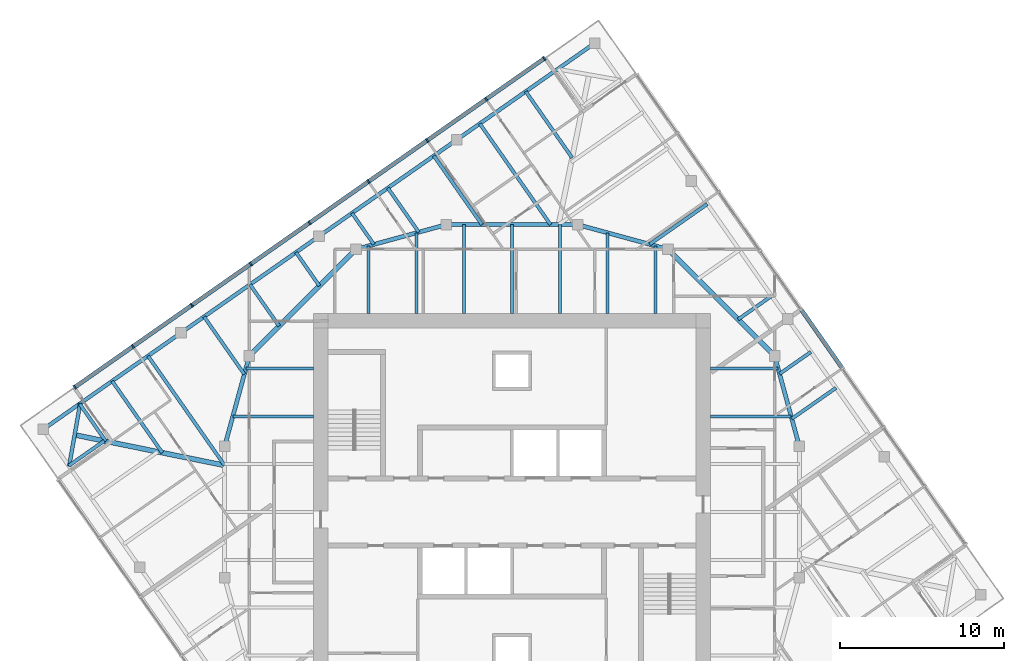
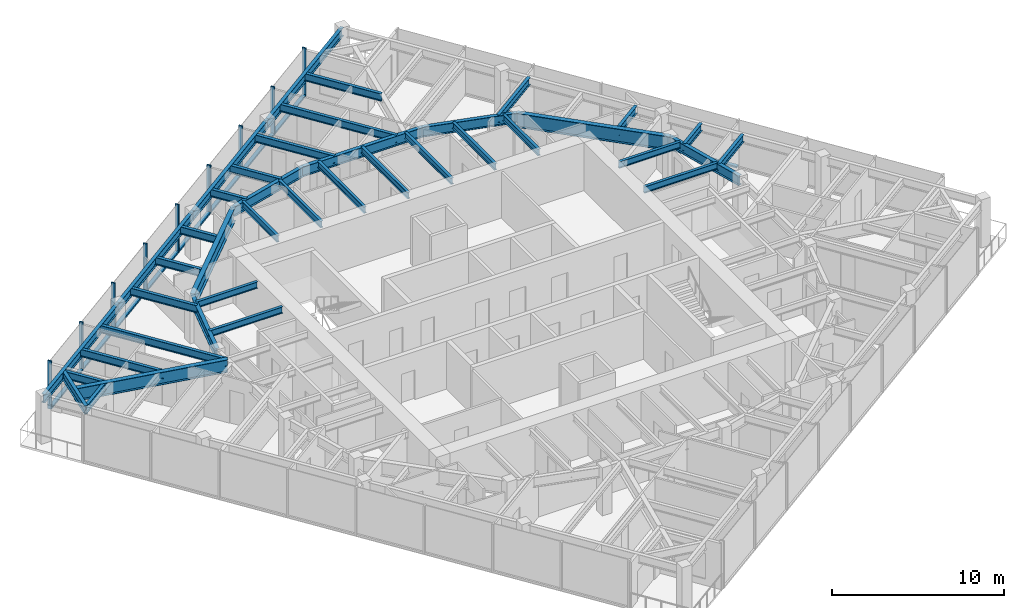
# One storey, part 4 of 12: 40 beams, 18 members, 2 elements without a shape of their own.
"""IFC4 building model written with IfcOpenShell, lengths in metres."""

from ifc_helpers import new_model, si_unit, direction, frame, origin, origin_2d, place, context, subcontext, project, spatial, rectangle, i_section, extrude, material, material_profile, profile_set, type_object, element, aggregate, save


model = new_model("IFC4")

# Units and contexts
model_context = context("Model", 3, precision=1e-05, world=origin(), true_north=direction((0.0, 1.0)))
body_context = subcontext(model_context, "Body", "Model", "MODEL_VIEW")
ifc_project = project(units=[si_unit("LENGTHUNIT", "METRE"), si_unit("AREAUNIT", "SQUARE_METRE"), si_unit("VOLUMEUNIT", "CUBIC_METRE"), si_unit("PLANEANGLEUNIT", "RADIAN"), si_unit("MASSUNIT", "GRAM", prefix="KILO")], contexts=[model_context])

# Site, building, storey
site_placement = place(None, origin())
site = spatial("IfcSite", under=ifc_project, at=site_placement, CompositionType="ELEMENT")
building_placement = place(site_placement, origin())
building = spatial("IfcBuilding", under=site, at=building_placement, Name="Torsade Residences", CompositionType="ELEMENT")
storey_placement = place(building_placement, frame((0.0, 0.0, 254.0)))
storey = spatial("IfcBuildingStorey", under=building, at=storey_placement, Name="L70", CompositionType="ELEMENT", Elevation=254.0)

# Beams
ifc_material_1 = material(Name="Steel grade 300", Category="steel")
ifc_material_profile_1 = material_profile(ifc_material_1, i_section(OverallWidth=0.300048828125, OverallDepth=0.89990234375, WebThickness=0.011962890625, FlangeThickness=0.02490234375, at=origin_2d()), Name="900WB175")
ifc_profile_set_1 = profile_set([ifc_material_profile_1], Name="Steel grade 300")
beam_type_1 = type_object("IfcBeamType", Name="CORNER GIRDER 900WB175", PredefinedType="BEAM", material=ifc_profile_set_1)
beam_1_placement = place(storey_placement, frame((13.364013671875, 34.696533203125, 2.800048828125), z_axis=(0.979880626756, -0.199584461589, 0.0), x_axis=(0.199584461589, 0.979880626756, 0.0)))
element("IfcBeam", 1, at=beam_1_placement, inside=storey, type_object=beam_type_1, Name="Corner girder 13 L71", PredefinedType="BEAM", context=body_context, shape_type="SweptSolid", body=[
    extrude(i_section(OverallWidth=0.300048828125, OverallDepth=0.89990234375, WebThickness=0.011962890625, FlangeThickness=0.02490234375, at=origin_2d()), origin(), (0.0, 0.0, 1.0), 9.323486328125),
])
ifc_material_2 = material(Name="Steel grade 300", Category="steel")
ifc_material_profile_2 = material_profile(ifc_material_2, i_section(OverallWidth=0.22802734375, OverallDepth=0.60205078125, WebThickness=0.010498046875, FlangeThickness=0.014892578125, FilletRadius=0.013916015625, at=origin_2d()), Name="610UB101")
ifc_profile_set_2 = profile_set([ifc_material_profile_2], Name="Steel grade 300")
beam_type_2 = type_object("IfcBeamType", Name="CORNER TRIMMER 610UB101", PredefinedType="BEAM", material=ifc_profile_set_2)
beam_2_placement = place(storey_placement, frame((13.0263671875, 32.78173828125, 2.948974609375), z_axis=(0.173645660267, 0.984808196894, 0.0), x_axis=(-0.984808196894, 0.173645660267, 0.0)))
element("IfcBeam", 2, at=beam_2_placement, inside=storey, type_object=beam_type_2, Name="Corner trimmer 13 L71", PredefinedType="BEAM", context=body_context, shape_type="SweptSolid", body=[
    extrude(i_section(OverallWidth=0.22802734375, OverallDepth=0.60205078125, WebThickness=0.010498046875, FlangeThickness=0.014892578125, FilletRadius=0.013916015625, at=origin_2d()), origin(), (0.0, 0.0, 1.0), 3.888916015625),
])
ifc_material_3 = material(Name="Steel grade 300", Category="steel")
ifc_material_profile_3 = material_profile(ifc_material_3, i_section(OverallWidth=0.22900390625, OverallDepth=0.612060546875, WebThickness=0.011962890625, FlangeThickness=0.01953125, FilletRadius=0.013916015625, at=origin_2d()), Name="610UB125")
ifc_profile_set_3 = profile_set([ifc_material_profile_3], Name="Steel grade 300")
beam_type_3 = type_object("IfcBeamType", Name="EDGE BEAM 610UB125", PredefinedType="SPANDREL", material=ifc_profile_set_3)
for number, where, z_axis, x_axis, name in (
    (3, (45.0341796875, 58.551025390625, 2.944091796875), (-0.819150225126, -0.573579034377, 0.0), (0.573579034377, -0.819150225126, 0.0), "Edge beam 09 L71"),
    (4, (36.637939453125, 52.671875, 2.944091796875), (-0.819150225126, -0.573579034377, 0.0), (0.573579034377, -0.819150225126, 0.0), "Edge beam 10 L71"),
    (5, (28.24169921875, 46.792724609375, 2.944091796875), (-0.819150225126, -0.573579034377, 0.0), (0.573579034377, -0.819150225126, 0.0), "Edge beam 11 L71"),
):
    element("IfcBeam", number, at=place(storey_placement, frame(where, z_axis=z_axis, x_axis=x_axis)), inside=storey, type_object=beam_type_3, Name=name, PredefinedType="SPANDREL", context=body_context, shape_type="SweptSolid", body=[
        extrude(i_section(OverallWidth=0.22900390625, OverallDepth=0.612060546875, WebThickness=0.011962890625, FlangeThickness=0.01953125, FilletRadius=0.013916015625, at=origin_2d()), origin(), (0.0, 0.0, 1.0), 10.25),
    ])
beam_3_placement = place(storey_placement, frame((19.845458984375, 40.91357421875, 2.944091796875), z_axis=(-0.819146870247, -0.573583825578, 0.0), x_axis=(0.573583825578, -0.819146870247, 0.0)))
element("IfcBeam", 6, at=beam_3_placement, inside=storey, type_object=beam_type_3, Name="Edge beam 12 L71", PredefinedType="SPANDREL", context=body_context, shape_type="SweptSolid", body=[
    extrude(i_section(OverallWidth=0.22900390625, OverallDepth=0.612060546875, WebThickness=0.011962890625, FlangeThickness=0.01953125, FilletRadius=0.013916015625, at=origin_2d()), origin(), (0.0, 0.0, 1.0), 10.250244140625),
])

# Curtain wall, members
ifc_material_4 = material(Name="Aluminium and glass", Category="aluminium")
curtain_wall_type = type_object("IfcCurtainWallType", Name="FRITTED GLASS CURTAIN WALL HIGH ZONE", PredefinedType="NOTDEFINED", material=ifc_material_4)
curtain_wall_1_placement = place(storey_placement, origin())
curtain_wall_1 = element("IfcCurtainWall", 7, at=curtain_wall_1_placement, inside=storey, type_object=curtain_wall_type, Name="Curtain wall L70 face 7", PredefinedType="NOTDEFINED")
ifc_material_5 = material(Name="Aluminium mullion", Category="aluminium")
ifc_material_profile_4 = material_profile(ifc_material_5, rectangle(XDim=0.25, YDim=0.10009765625, at=origin_2d()), Name="HIGH ZONE CURTAIN WALL MULLION 250x100")
ifc_profile_set_4 = profile_set([ifc_material_profile_4], Name="Aluminium mullion")
member_type_1 = type_object("IfcMemberType", Name="HIGH ZONE CURTAIN WALL MULLION 250x100", PredefinedType="MULLION", material=ifc_profile_set_4)
member_1_placement = place(storey_placement, frame((41.96240234375, 57.62060546875, 0.0), z_axis=(0.0, 0.0, 1.0), x_axis=(0.573576457682, -0.819152029353, 0.0)))
member_1 = element("IfcMember", 8, at=member_1_placement, type_object=member_type_1, Name="Mullion 1", PredefinedType="MULLION", context=body_context, shape_type="SweptSolid", body=[
    extrude(rectangle(XDim=0.25, YDim=0.10009765625, at=origin_2d()), origin(), (0.0, 0.0, 1.0), 3.39990234375),
])
member_2_placement = place(storey_placement, frame((38.41943359375, 55.139892578125, 0.0), z_axis=(0.0, 0.0, 1.0), x_axis=(0.573576457682, -0.819152029353, 0.0)))
member_2 = element("IfcMember", 9, at=member_2_placement, type_object=member_type_1, Name="Mullion 2", PredefinedType="MULLION", context=body_context, shape_type="SweptSolid", body=[
    extrude(rectangle(XDim=0.25, YDim=0.10009765625, at=origin_2d()), origin(), (0.0, 0.0, 1.0), 3.39990234375),
])
member_3_placement = place(storey_placement, frame((34.835693359375, 52.630615234375, 0.0), z_axis=(0.0, 0.0, 1.0), x_axis=(0.573576457682, -0.819152029353, 0.0)))
member_3 = element("IfcMember", 10, at=member_3_placement, type_object=member_type_1, Name="Mullion 3", PredefinedType="MULLION", context=body_context, shape_type="SweptSolid", body=[
    extrude(rectangle(XDim=0.25, YDim=0.10009765625, at=origin_2d()), origin(), (0.0, 0.0, 1.0), 3.39990234375),
])
member_4_placement = place(storey_placement, frame((31.251953125, 50.12109375, 0.0), z_axis=(0.0, 0.0, 1.0), x_axis=(0.573576457682, -0.819152029353, 0.0)))
member_4 = element("IfcMember", 11, at=member_4_placement, type_object=member_type_1, Name="Mullion 4", PredefinedType="MULLION", context=body_context, shape_type="SweptSolid", body=[
    extrude(rectangle(XDim=0.25, YDim=0.10009765625, at=origin_2d()), origin(), (0.0, 0.0, 1.0), 3.39990234375),
])
member_5_placement = place(storey_placement, frame((27.668212890625, 47.61181640625, 0.0), z_axis=(0.0, 0.0, 1.0), x_axis=(0.573576457682, -0.819152029353, 0.0)))
member_5 = element("IfcMember", 12, at=member_5_placement, type_object=member_type_1, Name="Mullion 5", PredefinedType="MULLION", context=body_context, shape_type="SweptSolid", body=[
    extrude(rectangle(XDim=0.25, YDim=0.10009765625, at=origin_2d()), origin(), (0.0, 0.0, 1.0), 3.39990234375),
])
member_6_placement = place(storey_placement, frame((24.084228515625, 45.102294921875, 0.0), z_axis=(0.0, 0.0, 1.0), x_axis=(0.573576457682, -0.819152029353, 0.0)))
member_6 = element("IfcMember", 13, at=member_6_placement, type_object=member_type_1, Name="Mullion 6", PredefinedType="MULLION", context=body_context, shape_type="SweptSolid", body=[
    extrude(rectangle(XDim=0.25, YDim=0.10009765625, at=origin_2d()), origin(), (0.0, 0.0, 1.0), 3.39990234375),
])
member_7_placement = place(storey_placement, frame((20.50048828125, 42.593017578125, 0.0), z_axis=(0.0, 0.0, 1.0), x_axis=(0.573576457682, -0.819152029353, 0.0)))
member_7 = element("IfcMember", 14, at=member_7_placement, type_object=member_type_1, Name="Mullion 7", PredefinedType="MULLION", context=body_context, shape_type="SweptSolid", body=[
    extrude(rectangle(XDim=0.25, YDim=0.10009765625, at=origin_2d()), origin(), (0.0, 0.0, 1.0), 3.39990234375),
])
member_8_placement = place(storey_placement, frame((16.916748046875, 40.08349609375, 0.0), z_axis=(0.0, 0.0, 1.0), x_axis=(0.573576457682, -0.819152029353, 0.0)))
member_8 = element("IfcMember", 15, at=member_8_placement, type_object=member_type_1, Name="Mullion 8", PredefinedType="MULLION", context=body_context, shape_type="SweptSolid", body=[
    extrude(rectangle(XDim=0.25, YDim=0.10009765625, at=origin_2d()), origin(), (0.0, 0.0, 1.0), 3.39990234375),
])
member_9_placement = place(storey_placement, frame((13.3740234375, 37.602783203125, 0.0), z_axis=(0.0, 0.0, 1.0), x_axis=(0.573576457682, -0.819152029353, 0.0)))
member_9 = element("IfcMember", 16, at=member_9_placement, type_object=member_type_1, Name="Mullion 9", PredefinedType="MULLION", context=body_context, shape_type="SweptSolid", body=[
    extrude(rectangle(XDim=0.25, YDim=0.10009765625, at=origin_2d()), origin(), (0.0, 0.0, 1.0), 3.39990234375),
])

# Curtain wall, member
curtain_wall_2_placement = place(storey_placement, origin())
curtain_wall_2 = element("IfcCurtainWall", 17, at=curtain_wall_2_placement, inside=storey, type_object=curtain_wall_type, Name="Curtain wall L70 face 4", PredefinedType="NOTDEFINED")
ifc_material_6 = material(Name="Aluminium transom", Category="aluminium")
ifc_material_profile_5 = material_profile(ifc_material_6, rectangle(XDim=0.25, YDim=0.1201171875, at=origin_2d()), Name="HIGH ZONE CURTAIN WALL TRANSOM 250x120")
ifc_profile_set_5 = profile_set([ifc_material_profile_5], Name="Aluminium transom")
member_type_2 = type_object("IfcMemberType", Name="HIGH ZONE CURTAIN WALL TRANSOM 250x120", PredefinedType="USERDEFINED", material=ifc_profile_set_5)
member_10_placement = place(storey_placement, frame((60.092529296875, 38.7890625, 0.06005859375), z_axis=(-0.57358498433, 0.819146058863, 0.0), x_axis=(-0.819146058863, -0.57358498433, 0.0)))
member_10 = element("IfcMember", 18, at=member_10_placement, type_object=member_type_2, Name="Transom 4.1", ObjectType="TRANSOM", PredefinedType="USERDEFINED", context=body_context, shape_type="SweptSolid", body=[
    extrude(rectangle(XDim=0.25, YDim=0.1201171875, at=origin_2d()), origin(), (0.0, 0.0, 1.0), 4.275146484375),
])
aggregate(curtain_wall_2, [member_10])

# Member
member_11_placement = place(storey_placement, frame((41.92138671875, 57.592041015625, 0.06005859375), z_axis=(-0.819155901234, -0.573570928023, 0.0), x_axis=(0.573570928023, -0.819155901234, 0.0)))
member_11 = element("IfcMember", 19, at=member_11_placement, type_object=member_type_2, Name="Transom 1.1", ObjectType="TRANSOM", PredefinedType="USERDEFINED", context=body_context, shape_type="SweptSolid", body=[
    extrude(rectangle(XDim=0.25, YDim=0.1201171875, at=origin_2d()), origin(), (0.0, 0.0, 1.0), 4.22509765625),
])

member_12_placement = place(storey_placement, frame((38.37841796875, 55.111328125, 0.06005859375), z_axis=(-0.819127269283, -0.573611817101, 0.0), x_axis=(0.573611817101, -0.819127269283, 0.0)))
member_12 = element("IfcMember", 20, at=member_12_placement, type_object=member_type_2, Name="Transom 2.1", ObjectType="TRANSOM", PredefinedType="USERDEFINED", context=body_context, shape_type="SweptSolid", body=[
    extrude(rectangle(XDim=0.25, YDim=0.1201171875, at=origin_2d()), origin(), (0.0, 0.0, 1.0), 4.27490234375),
])

member_13_placement = place(storey_placement, frame((34.794677734375, 52.601806640625, 0.06005859375), z_axis=(-0.819154102984, -0.573573496219, 0.0), x_axis=(0.573573496219, -0.819154102984, 0.0)))
member_13 = element("IfcMember", 21, at=member_13_placement, type_object=member_type_2, Name="Transom 3.1", ObjectType="TRANSOM", PredefinedType="USERDEFINED", context=body_context, shape_type="SweptSolid", body=[
    extrude(rectangle(XDim=0.25, YDim=0.1201171875, at=origin_2d()), origin(), (0.0, 0.0, 1.0), 4.27490234375),
])

member_14_placement = place(storey_placement, frame((31.2109375, 50.092529296875, 0.06005859375), z_axis=(-0.819146058863, -0.57358498433, 0.0), x_axis=(0.57358498433, -0.819146058863, 0.0)))
member_14 = element("IfcMember", 22, at=member_14_placement, type_object=member_type_2, Name="Transom 4.1", ObjectType="TRANSOM", PredefinedType="USERDEFINED", context=body_context, shape_type="SweptSolid", body=[
    extrude(rectangle(XDim=0.25, YDim=0.1201171875, at=origin_2d()), origin(), (0.0, 0.0, 1.0), 4.275146484375),
])

member_15_placement = place(storey_placement, frame((27.627197265625, 47.5830078125, 0.06005859375), z_axis=(-0.81917289067, -0.573546663483, 0.0), x_axis=(0.573546663483, -0.81917289067, 0.0)))
member_15 = element("IfcMember", 23, at=member_15_placement, type_object=member_type_2, Name="Transom 5.1", ObjectType="TRANSOM", PredefinedType="USERDEFINED", context=body_context, shape_type="SweptSolid", body=[
    extrude(rectangle(XDim=0.25, YDim=0.1201171875, at=origin_2d()), origin(), (0.0, 0.0, 1.0), 4.27490234375),
])

member_16_placement = place(storey_placement, frame((24.04345703125, 45.07373046875, 0.06005859375), z_axis=(-0.819146058863, -0.57358498433, 0.0), x_axis=(0.57358498433, -0.819146058863, 0.0)))
member_16 = element("IfcMember", 24, at=member_16_placement, type_object=member_type_2, Name="Transom 6.1", ObjectType="TRANSOM", PredefinedType="USERDEFINED", context=body_context, shape_type="SweptSolid", body=[
    extrude(rectangle(XDim=0.25, YDim=0.1201171875, at=origin_2d()), origin(), (0.0, 0.0, 1.0), 4.275146484375),
])

member_17_placement = place(storey_placement, frame((20.45947265625, 42.564208984375, 0.06005859375), z_axis=(-0.819154102984, -0.573573496219, 0.0), x_axis=(0.573573496219, -0.819154102984, 0.0)))
member_17 = element("IfcMember", 25, at=member_17_placement, type_object=member_type_2, Name="Transom 7.1", ObjectType="TRANSOM", PredefinedType="USERDEFINED", context=body_context, shape_type="SweptSolid", body=[
    extrude(rectangle(XDim=0.25, YDim=0.1201171875, at=origin_2d()), origin(), (0.0, 0.0, 1.0), 4.27490234375),
])

member_18_placement = place(storey_placement, frame((16.875732421875, 40.054931640625, 0.06005859375), z_axis=(-0.819155901234, -0.573570928023, 0.0), x_axis=(0.573570928023, -0.819155901234, 0.0)))
member_18 = element("IfcMember", 26, at=member_18_placement, type_object=member_type_2, Name="Transom 8.1", ObjectType="TRANSOM", PredefinedType="USERDEFINED", context=body_context, shape_type="SweptSolid", body=[
    extrude(rectangle(XDim=0.25, YDim=0.1201171875, at=origin_2d()), origin(), (0.0, 0.0, 1.0), 4.22509765625),
])

aggregate(curtain_wall_1, [member_1, member_2, member_3, member_4, member_5, member_6, member_7, member_8, member_9, member_11, member_12, member_13, member_14, member_15, member_16, member_17, member_18])

# Beams
ifc_material_7 = material(Name="Steel grade 300", Category="steel")
ifc_material_profile_6 = material_profile(ifc_material_7, i_section(OverallWidth=0.18994140625, OverallDepth=0.4541015625, WebThickness=0.008544921875, FlangeThickness=0.0126953125, FilletRadius=0.011474609375, at=origin_2d()), Name="460UB67.1")
ifc_profile_set_6 = profile_set([ifc_material_profile_6], Name="Steel grade 300")
beam_type_4 = type_object("IfcBeamType", Name="INNER FLOOR BEAM 460UB67.1", PredefinedType="JOIST", material=ifc_profile_set_6)
beam_4_placement = place(storey_placement, frame((31.262451171875, 42.10009765625, 3.02294921875), z_axis=(0.0, 1.0, 0.0), x_axis=(-1.0, 0.0, 0.0)))
element("IfcBeam", 27, at=beam_4_placement, inside=storey, type_object=beam_type_4, Name="Inner floor beam IN01 L71", PredefinedType="JOIST", context=body_context, shape_type="SweptSolid", body=[
    extrude(i_section(OverallWidth=0.18994140625, OverallDepth=0.4541015625, WebThickness=0.008544921875, FlangeThickness=0.0126953125, FilletRadius=0.011474609375, at=origin_2d()), origin(), (0.0, 0.0, 1.0), 4.10791015625),
])
beam_5_placement = place(storey_placement, frame((34.175048828125, 42.10009765625, 3.02294921875), z_axis=(0.0, 1.0, 0.0), x_axis=(-1.0, 0.0, 0.0)))
element("IfcBeam", 28, at=beam_5_placement, inside=storey, type_object=beam_type_4, Name="Inner floor beam IN02 L71", PredefinedType="JOIST", context=body_context, shape_type="SweptSolid", body=[
    extrude(i_section(OverallWidth=0.18994140625, OverallDepth=0.4541015625, WebThickness=0.008544921875, FlangeThickness=0.0126953125, FilletRadius=0.011474609375, at=origin_2d()), origin(), (0.0, 0.0, 1.0), 4.902099609375),
])
for number, where, z_axis, x_axis, name in (
    (29, (37.08740234375, 42.10009765625, 3.02294921875), (0.0, 1.0, 0.0), (-1.0, 0.0, 0.0), "Inner floor beam IN03 L71"),
    (30, (40.0, 42.10009765625, 3.02294921875), (0.0, 1.0, 0.0), (-1.0, 0.0, 0.0), "Inner floor beam IN04 L71"),
    (31, (42.91259765625, 42.10009765625, 3.02294921875), (0.0, 1.0, 0.0), (-1.0, 0.0, 0.0), "Inner floor beam IN05 L71"),
):
    element("IfcBeam", number, at=place(storey_placement, frame(where, z_axis=z_axis, x_axis=x_axis)), inside=storey, type_object=beam_type_4, Name=name, PredefinedType="JOIST", context=body_context, shape_type="SweptSolid", body=[
        extrude(i_section(OverallWidth=0.18994140625, OverallDepth=0.4541015625, WebThickness=0.008544921875, FlangeThickness=0.0126953125, FilletRadius=0.011474609375, at=origin_2d()), origin(), (0.0, 0.0, 1.0), 5.39990234375),
    ])
beam_6_placement = place(storey_placement, frame((45.824951171875, 42.10009765625, 3.02294921875), z_axis=(0.0, 1.0, 0.0), x_axis=(-1.0, 0.0, 0.0)))
element("IfcBeam", 32, at=beam_6_placement, inside=storey, type_object=beam_type_4, Name="Inner floor beam IN06 L71", PredefinedType="JOIST", context=body_context, shape_type="SweptSolid", body=[
    extrude(i_section(OverallWidth=0.18994140625, OverallDepth=0.4541015625, WebThickness=0.008544921875, FlangeThickness=0.0126953125, FilletRadius=0.011474609375, at=origin_2d()), origin(), (0.0, 0.0, 1.0), 4.902099609375),
])
beam_7_placement = place(storey_placement, frame((48.737548828125, 42.10009765625, 3.02294921875), z_axis=(0.0, 1.0, 0.0), x_axis=(-1.0, 0.0, 0.0)))
element("IfcBeam", 33, at=beam_7_placement, inside=storey, type_object=beam_type_4, Name="Inner floor beam IN07 L71", PredefinedType="JOIST", context=body_context, shape_type="SweptSolid", body=[
    extrude(i_section(OverallWidth=0.18994140625, OverallDepth=0.4541015625, WebThickness=0.008544921875, FlangeThickness=0.0126953125, FilletRadius=0.011474609375, at=origin_2d()), origin(), (0.0, 0.0, 1.0), 4.10791015625),
])
beam_8_placement = place(storey_placement, frame((52.10009765625, 35.824951171875, 3.02294921875), z_axis=(1.0, 0.0, 0.0), x_axis=(0.0, 1.0, 0.0)))
element("IfcBeam", 34, at=beam_8_placement, inside=storey, type_object=beam_type_4, Name="Inner floor beam IE06 L71", PredefinedType="JOIST", context=body_context, shape_type="SweptSolid", body=[
    extrude(i_section(OverallWidth=0.18994140625, OverallDepth=0.4541015625, WebThickness=0.008544921875, FlangeThickness=0.0126953125, FilletRadius=0.011474609375, at=origin_2d()), origin(), (0.0, 0.0, 1.0), 4.902099609375),
])
for number, where, z_axis, x_axis, name in (
    (35, (52.10009765625, 38.737548828125, 3.02294921875), (1.0, 0.0, 0.0), (0.0, 1.0, 0.0), "Inner floor beam IE07 L71"),
    (36, (27.89990234375, 38.737548828125, 3.02294921875), (-1.0, 0.0, 0.0), (0.0, -1.0, 0.0), "Inner floor beam IW01 L71"),
):
    element("IfcBeam", number, at=place(storey_placement, frame(where, z_axis=z_axis, x_axis=x_axis)), inside=storey, type_object=beam_type_4, Name=name, PredefinedType="JOIST", context=body_context, shape_type="SweptSolid", body=[
        extrude(i_section(OverallWidth=0.18994140625, OverallDepth=0.4541015625, WebThickness=0.008544921875, FlangeThickness=0.0126953125, FilletRadius=0.011474609375, at=origin_2d()), origin(), (0.0, 0.0, 1.0), 4.10791015625),
    ])
beam_9_placement = place(storey_placement, frame((27.89990234375, 35.824951171875, 3.02294921875), z_axis=(-1.0, 0.0, 0.0), x_axis=(0.0, -1.0, 0.0)))
element("IfcBeam", 37, at=beam_9_placement, inside=storey, type_object=beam_type_4, Name="Inner floor beam IW02 L71", PredefinedType="JOIST", context=body_context, shape_type="SweptSolid", body=[
    extrude(i_section(OverallWidth=0.18994140625, OverallDepth=0.4541015625, WebThickness=0.008544921875, FlangeThickness=0.0126953125, FilletRadius=0.011474609375, at=origin_2d()), origin(), (0.0, 0.0, 1.0), 4.902099609375),
])
ifc_material_8 = material(Name="Steel grade 300", Category="steel")
ifc_material_profile_7 = material_profile(ifc_material_8, i_section(OverallWidth=0.300048828125, OverallDepth=1.0, WebThickness=0.01611328125, FlangeThickness=0.028076171875, at=origin_2d()), Name="1000WB215")
ifc_profile_set_7 = profile_set([ifc_material_profile_7], Name="Steel grade 300")
beam_type_5 = type_object("IfcBeamType", Name="RING CORNER GIRDER 1000WB215", PredefinedType="BEAM", material=ifc_profile_set_7)
for number, where, z_axis, x_axis, name in (
    (38, (56.0, 39.5, 2.75), (-0.707106781187, 0.707106781187, 0.0), (-0.707106781187, -0.707106781187, 0.0), "Ring girder IR03 L71"),
    (39, (30.5, 46.0, 2.75), (-0.707106781187, -0.707106781187, 0.0), (0.707106781187, -0.707106781187, 0.0), "Ring girder IR07 L71"),
):
    element("IfcBeam", number, at=place(storey_placement, frame(where, z_axis=z_axis, x_axis=x_axis)), inside=storey, type_object=beam_type_5, Name=name, PredefinedType="BEAM", context=body_context, shape_type="SweptSolid", body=[
        extrude(i_section(OverallWidth=0.300048828125, OverallDepth=1.0, WebThickness=0.01611328125, FlangeThickness=0.028076171875, at=origin_2d()), origin(), (0.0, 0.0, 1.0), 9.1923828125),
    ])
ifc_material_9 = material(Name="Steel grade 300", Category="steel")
ifc_material_profile_8 = material_profile(ifc_material_9, i_section(OverallWidth=0.25, OverallDepth=0.699951171875, WebThickness=0.010009765625, FlangeThickness=0.02001953125, at=origin_2d()), Name="700WB130")
ifc_profile_set_8 = profile_set([ifc_material_profile_8], Name="Steel grade 300")
beam_type_6 = type_object("IfcBeamType", Name="RING GIRDER 700WB130", PredefinedType="BEAM", material=ifc_profile_set_8)
for number, where, z_axis, x_axis, name in (
    (40, (57.5, 34.0, 2.89990234375), (-0.263117405792, 0.964763821238, 0.0), (-0.964763821238, -0.263117405792, 0.0), "Ring girder IR02 L71"),
    (41, (49.5, 46.0, 2.89990234375), (-0.964763821238, 0.263117405792, 0.0), (-0.263117405792, -0.964763821238, 0.0), "Ring girder IR04 L71"),
):
    element("IfcBeam", number, at=place(storey_placement, frame(where, z_axis=z_axis, x_axis=x_axis)), inside=storey, type_object=beam_type_6, Name=name, PredefinedType="BEAM", context=body_context, shape_type="SweptSolid", body=[
        extrude(i_section(OverallWidth=0.25, OverallDepth=0.699951171875, WebThickness=0.010009765625, FlangeThickness=0.02001953125, at=origin_2d()), origin(), (0.0, 0.0, 1.0), 5.700927734375),
    ])
beam_10_placement = place(storey_placement, frame((44.0, 47.5, 2.89990234375), z_axis=(-1.0, 0.0, 0.0), x_axis=(0.0, -1.0, 0.0)))
element("IfcBeam", 42, at=beam_10_placement, inside=storey, type_object=beam_type_6, Name="Ring girder IR05 L71", PredefinedType="BEAM", context=body_context, shape_type="SweptSolid", body=[
    extrude(i_section(OverallWidth=0.25, OverallDepth=0.699951171875, WebThickness=0.010009765625, FlangeThickness=0.02001953125, at=origin_2d()), origin(), (0.0, 0.0, 1.0), 8.0),
])
for number, where, z_axis, x_axis, name in (
    (43, (36.0, 47.5, 2.89990234375), (-0.964763821238, -0.263117405792, 0.0), (0.263117405792, -0.964763821238, 0.0), "Ring girder IR06 L71"),
    (44, (24.0, 39.5, 2.89990234375), (-0.263117405792, -0.964763821238, 0.0), (0.964763821238, -0.263117405792, 0.0), "Ring girder IR08 L71"),
):
    element("IfcBeam", number, at=place(storey_placement, frame(where, z_axis=z_axis, x_axis=x_axis)), inside=storey, type_object=beam_type_6, Name=name, PredefinedType="BEAM", context=body_context, shape_type="SweptSolid", body=[
        extrude(i_section(OverallWidth=0.25, OverallDepth=0.699951171875, WebThickness=0.010009765625, FlangeThickness=0.02001953125, at=origin_2d()), origin(), (0.0, 0.0, 1.0), 5.700927734375),
    ])
ifc_material_10 = material(Name="Steel grade 300", Category="steel")
ifc_material_profile_9 = material_profile(ifc_material_10, i_section(OverallWidth=0.208984375, OverallDepth=0.532958984375, WebThickness=0.01025390625, FlangeThickness=0.015625, FilletRadius=0.013916015625, at=origin_2d()), Name="530UB92.4")
ifc_profile_set_9 = profile_set([ifc_material_profile_9], Name="Steel grade 300")
beam_type_7 = type_object("IfcBeamType", Name="SECONDARY BEAM 530UB92.4", PredefinedType="JOIST", material=ifc_profile_set_9)
beam_11_placement = place(storey_placement, frame((59.732177734375, 37.56005859375, 2.9833984375), z_axis=(-0.819169032504, -0.573552173902, 0.0), x_axis=(0.573552173902, -0.819169032504, 0.0)))
element("IfcBeam", 45, at=beam_11_placement, inside=storey, type_object=beam_type_7, Name="Floor beam FE05 L71", PredefinedType="JOIST", context=body_context, shape_type="SweptSolid", body=[
    extrude(i_section(OverallWidth=0.208984375, OverallDepth=0.532958984375, WebThickness=0.01025390625, FlangeThickness=0.015625, FilletRadius=0.013916015625, at=origin_2d()), origin(), (0.0, 0.0, 1.0), 3.283203125),
])
beam_12_placement = place(storey_placement, frame((58.20263671875, 39.74462890625, 2.9833984375), z_axis=(-0.819157953557, -0.573567996949, 0.0), x_axis=(0.573567996949, -0.819157953557, 0.0)))
element("IfcBeam", 46, at=beam_12_placement, inside=storey, type_object=beam_type_7, Name="Floor beam FE06 L71", PredefinedType="JOIST", context=body_context, shape_type="SweptSolid", body=[
    extrude(i_section(OverallWidth=0.208984375, OverallDepth=0.532958984375, WebThickness=0.01025390625, FlangeThickness=0.015625, FilletRadius=0.013916015625, at=origin_2d()), origin(), (0.0, 0.0, 1.0), 2.326171875),
])
beam_13_placement = place(storey_placement, frame((55.812744140625, 43.15771484375, 2.9833984375), z_axis=(-0.819172078752, -0.573547823109, 0.0), x_axis=(0.573547823109, -0.819172078752, 0.0)))
element("IfcBeam", 47, at=beam_13_placement, inside=storey, type_object=beam_type_7, Name="Floor beam FE07 L71", PredefinedType="JOIST", context=body_context, shape_type="SweptSolid", body=[
    extrude(i_section(OverallWidth=0.208984375, OverallDepth=0.532958984375, WebThickness=0.01025390625, FlangeThickness=0.015625, FilletRadius=0.013916015625, at=origin_2d()), origin(), (0.0, 0.0, 1.0), 2.491943359375),
])
beam_14_placement = place(storey_placement, frame((51.893310546875, 48.755126953125, 2.9833984375), z_axis=(-0.819148759439, -0.573581127575, 0.0), x_axis=(0.573581127575, -0.819148759439, 0.0)))
element("IfcBeam", 48, at=beam_14_placement, inside=storey, type_object=beam_type_7, Name="Floor beam FE09 L71", PredefinedType="JOIST", context=body_context, shape_type="SweptSolid", body=[
    extrude(i_section(OverallWidth=0.208984375, OverallDepth=0.532958984375, WebThickness=0.01025390625, FlangeThickness=0.015625, FilletRadius=0.013916015625, at=origin_2d()), origin(), (0.0, 0.0, 1.0), 4.276123046875),
])
beam_15_placement = place(storey_placement, frame((40.836181640625, 55.611328125, 2.9833984375), z_axis=(0.573575295634, -0.819152843027, 0.0), x_axis=(0.819152843027, 0.573575295634, 0.0)))
element("IfcBeam", 49, at=beam_15_placement, inside=storey, type_object=beam_type_7, Name="Floor beam FN02 L71", PredefinedType="JOIST", context=body_context, shape_type="SweptSolid", body=[
    extrude(i_section(OverallWidth=0.208984375, OverallDepth=0.532958984375, WebThickness=0.01025390625, FlangeThickness=0.015625, FilletRadius=0.013916015625, at=origin_2d()), origin(), (0.0, 0.0, 1.0), 4.931884765625),
])
beam_16_placement = place(storey_placement, frame((38.037353515625, 53.651611328125, 2.9833984375), z_axis=(0.573573614851, -0.819154019917, 0.0), x_axis=(0.819154019917, 0.573573614851, 0.0)))
element("IfcBeam", 50, at=beam_16_placement, inside=storey, type_object=beam_type_7, Name="Floor beam FN03 L71", PredefinedType="JOIST", context=body_context, shape_type="SweptSolid", body=[
    extrude(i_section(OverallWidth=0.208984375, OverallDepth=0.532958984375, WebThickness=0.01025390625, FlangeThickness=0.015625, FilletRadius=0.013916015625, at=origin_2d()), origin(), (0.0, 0.0, 1.0), 7.509765625),
])
beam_17_placement = place(storey_placement, frame((35.238525390625, 51.69189453125, 2.9833984375), z_axis=(0.573590411882, -0.819142258339, 0.0), x_axis=(0.819142258339, 0.573590411882, 0.0)))
element("IfcBeam", 51, at=beam_17_placement, inside=storey, type_object=beam_type_7, Name="Floor beam FN04 L71", PredefinedType="JOIST", context=body_context, shape_type="SweptSolid", body=[
    extrude(i_section(OverallWidth=0.208984375, OverallDepth=0.532958984375, WebThickness=0.01025390625, FlangeThickness=0.015625, FilletRadius=0.013916015625, at=origin_2d()), origin(), (0.0, 0.0, 1.0), 5.117431640625),
])
beam_18_placement = place(storey_placement, frame((32.43994140625, 49.732177734375, 2.9833984375), z_axis=(0.573552173902, -0.819169032504, 0.0), x_axis=(0.819169032504, 0.573552173902, 0.0)))
element("IfcBeam", 52, at=beam_18_placement, inside=storey, type_object=beam_type_7, Name="Floor beam FN05 L71", PredefinedType="JOIST", context=body_context, shape_type="SweptSolid", body=[
    extrude(i_section(OverallWidth=0.208984375, OverallDepth=0.532958984375, WebThickness=0.01025390625, FlangeThickness=0.015625, FilletRadius=0.013916015625, at=origin_2d()), origin(), (0.0, 0.0, 1.0), 3.283203125),
])
beam_19_placement = place(storey_placement, frame((30.25537109375, 48.20263671875, 2.9833984375), z_axis=(0.573567996949, -0.819157953557, 0.0), x_axis=(0.819157953557, 0.573567996949, 0.0)))
element("IfcBeam", 53, at=beam_19_placement, inside=storey, type_object=beam_type_7, Name="Floor beam FN06 L71", PredefinedType="JOIST", context=body_context, shape_type="SweptSolid", body=[
    extrude(i_section(OverallWidth=0.208984375, OverallDepth=0.532958984375, WebThickness=0.01025390625, FlangeThickness=0.015625, FilletRadius=0.013916015625, at=origin_2d()), origin(), (0.0, 0.0, 1.0), 2.326171875),
])
beam_20_placement = place(storey_placement, frame((26.84228515625, 45.812744140625, 2.9833984375), z_axis=(0.573547823109, -0.819172078752, 0.0), x_axis=(0.819172078752, 0.573547823109, 0.0)))
element("IfcBeam", 54, at=beam_20_placement, inside=storey, type_object=beam_type_7, Name="Floor beam FN07 L71", PredefinedType="JOIST", context=body_context, shape_type="SweptSolid", body=[
    extrude(i_section(OverallWidth=0.208984375, OverallDepth=0.532958984375, WebThickness=0.01025390625, FlangeThickness=0.015625, FilletRadius=0.013916015625, at=origin_2d()), origin(), (0.0, 0.0, 1.0), 2.491943359375),
])
beam_21_placement = place(storey_placement, frame((24.04345703125, 43.85302734375, 2.9833984375), z_axis=(0.573600013401, -0.819135534955, 0.0), x_axis=(0.819135534955, 0.573600013401, 0.0)))
element("IfcBeam", 55, at=beam_21_placement, inside=storey, type_object=beam_type_7, Name="Floor beam FN08 L71", PredefinedType="JOIST", context=body_context, shape_type="SweptSolid", body=[
    extrude(i_section(OverallWidth=0.208984375, OverallDepth=0.532958984375, WebThickness=0.01025390625, FlangeThickness=0.015625, FilletRadius=0.013916015625, at=origin_2d()), origin(), (0.0, 0.0, 1.0), 3.09423828125),
])
beam_22_placement = place(storey_placement, frame((21.244873046875, 41.893310546875, 2.9833984375), z_axis=(0.573581127575, -0.819148759439, 0.0), x_axis=(0.819148759439, 0.573581127575, 0.0)))
element("IfcBeam", 56, at=beam_22_placement, inside=storey, type_object=beam_type_7, Name="Floor beam FN09 L71", PredefinedType="JOIST", context=body_context, shape_type="SweptSolid", body=[
    extrude(i_section(OverallWidth=0.208984375, OverallDepth=0.532958984375, WebThickness=0.01025390625, FlangeThickness=0.015625, FilletRadius=0.013916015625, at=origin_2d()), origin(), (0.0, 0.0, 1.0), 4.276123046875),
])
beam_23_placement = place(storey_placement, frame((17.83154296875, 39.50341796875, 2.9833984375), z_axis=(0.573577087251, -0.819151588523, 0.0), x_axis=(0.819151588523, 0.573577087251, 0.0)))
element("IfcBeam", 57, at=beam_23_placement, inside=storey, type_object=beam_type_7, Name="Floor beam FN10 L71", PredefinedType="JOIST", context=body_context, shape_type="SweptSolid", body=[
    extrude(i_section(OverallWidth=0.208984375, OverallDepth=0.532958984375, WebThickness=0.01025390625, FlangeThickness=0.015625, FilletRadius=0.013916015625, at=origin_2d()), origin(), (0.0, 0.0, 1.0), 8.13916015625),
])
beam_24_placement = place(storey_placement, frame((15.647216796875, 37.973876953125, 2.9833984375), z_axis=(0.573597638513, -0.819137197966, 0.0), x_axis=(0.819137197966, 0.573597638513, 0.0)))
element("IfcBeam", 58, at=beam_24_placement, inside=storey, type_object=beam_type_7, Name="Floor beam FN11 L71", PredefinedType="JOIST", context=body_context, shape_type="SweptSolid", body=[
    extrude(i_section(OverallWidth=0.208984375, OverallDepth=0.532958984375, WebThickness=0.01025390625, FlangeThickness=0.015625, FilletRadius=0.013916015625, at=origin_2d()), origin(), (0.0, 0.0, 1.0), 5.328369140625),
])
beam_25_placement = place(storey_placement, frame((13.667724609375, 36.587646484375, 2.9833984375), z_axis=(0.573521270253, -0.819190669238, 0.0), x_axis=(0.819190669238, 0.573521270253, 0.0)))
element("IfcBeam", 59, at=beam_25_placement, inside=storey, type_object=beam_type_7, Name="Floor beam FN12 L71", PredefinedType="JOIST", context=body_context, shape_type="SweptSolid", body=[
    extrude(i_section(OverallWidth=0.208984375, OverallDepth=0.532958984375, WebThickness=0.01025390625, FlangeThickness=0.015625, FilletRadius=0.013916015625, at=origin_2d()), origin(), (0.0, 0.0, 1.0), 2.780517578125),
])
beam_26_placement = place(storey_placement, frame((13.00244140625, 32.815673828125, 2.9833984375), z_axis=(0.819140666445, 0.573592685254, 0.0), x_axis=(-0.573592685254, 0.819140666445, 0.0)))
element("IfcBeam", 60, at=beam_26_placement, inside=storey, type_object=beam_type_7, Name="Floor beam FW01 L71", PredefinedType="JOIST", context=body_context, shape_type="SweptSolid", body=[
    extrude(i_section(OverallWidth=0.208984375, OverallDepth=0.532958984375, WebThickness=0.01025390625, FlangeThickness=0.015625, FilletRadius=0.013916015625, at=origin_2d()), origin(), (0.0, 0.0, 1.0), 2.639892578125),
])

save(model, "model.ifc")
